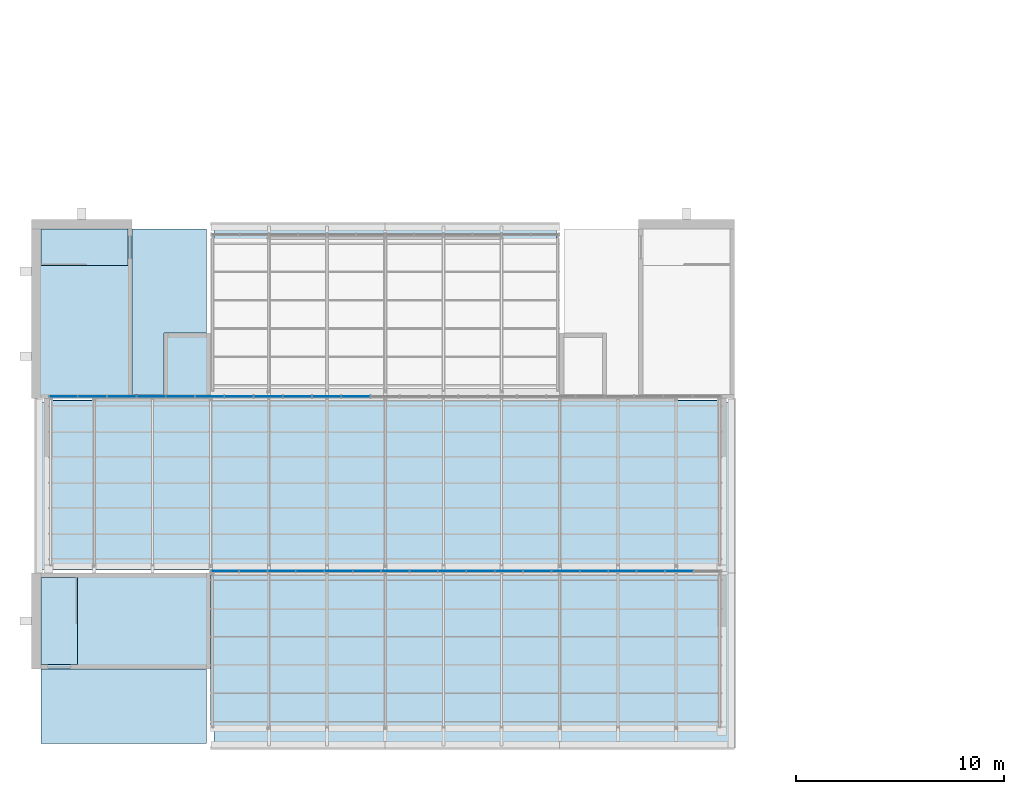
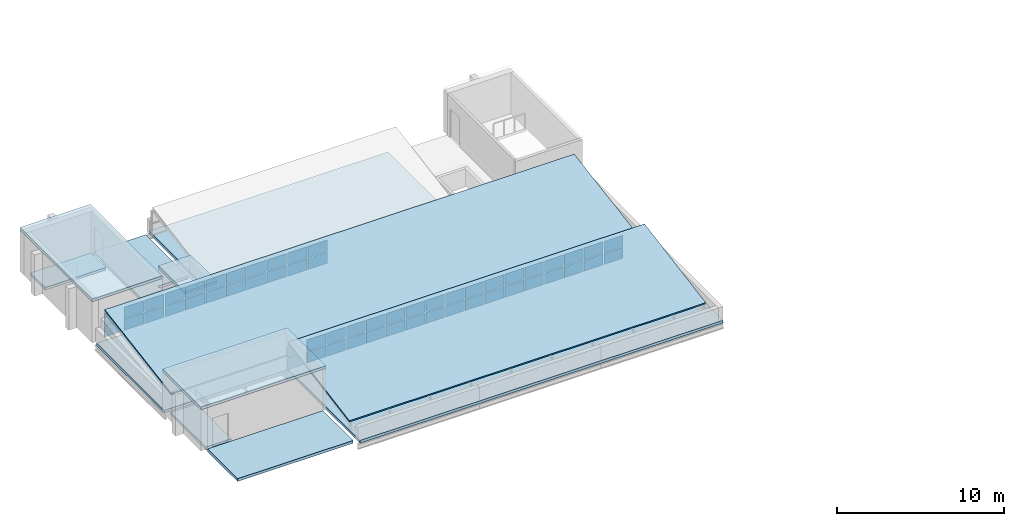
# One storey, part 25 of 42: 56 plates, 10 slabs, 2 elements without a shape of their own.
"""IFC4 building model written with IfcOpenShell, lengths in metres."""

import ifcopenshell
import ifcopenshell.guid

model = None  # the IFC model being written
_history = None  # IfcOwnerHistory: only IFC2X3 demands one
_inside = {}  # id of a spatial element -> (the spatial element, [elements in it])
_under = {}  # id of a project, library or spatial element -> (it, [spatial elements below it])
_declared = {}  # id of a project -> (the project, [libraries it declares])
_typed = {}  # id of a type object -> (the type object, [elements of that type])
_made_of = {}  # id of a material, layer set ... -> (it, [elements and type objects made of it])


def new_model(schema):
    """Start an empty IFC model of exactly this schema.

    Asked for "IFC4X3", IfcOpenShell would pick the latest addendum, in which some entities
    have other attributes; the version numbers below select the first issue.
    IFC2X3 requires an IfcOwnerHistory on every rooted entity: one is made here for all.
    """
    global model, _history
    if schema == "IFC4X3":
        model = ifcopenshell.file(schema_version=(4, 3, 0, 0))
    else:
        model = ifcopenshell.file(schema=schema)
    _inside.clear()
    _under.clear()
    _declared.clear()
    _typed.clear()
    _made_of.clear()
    _history = None
    if model.schema == "IFC2X3":
        org = make("IfcOrganization", Name="unknown")
        user = make(
            "IfcPersonAndOrganization",
            ThePerson=make("IfcPerson", FamilyName="unknown"),
            TheOrganization=org,
        )
        app = make(
            "IfcApplication",
            ApplicationDeveloper=org,
            Version="unknown",
            ApplicationFullName="unknown",
            ApplicationIdentifier="unknown",
        )
        _history = make(
            "IfcOwnerHistory",
            OwningUser=user,
            OwningApplication=app,
            ChangeAction="ADDED",
            CreationDate=0,
        )
    return model


def make(cls, **values):
    """One entity of the class cls with the attributes given. An attribute that is None is left unset."""
    return model.create_entity(
        cls, **{name: value for name, value in values.items() if value is not None}
    )


def rooted(cls, **values):
    """An entity with a GlobalId (a new one), such as an element, a storey or a relation."""
    return make(cls, GlobalId=ifcopenshell.guid.new(), OwnerHistory=_history, **values)


def si_unit(unit_type, name, prefix=None):
    """IfcSIUnit, for example si_unit("LENGTHUNIT", "METRE", prefix="MILLI")."""
    return make("IfcSIUnit", UnitType=unit_type, Prefix=prefix, Name=name)


def assignment(units):
    """IfcUnitAssignment: the units of a project."""
    return None if units is None else make("IfcUnitAssignment", Units=units)


def point(xyz):
    """IfcCartesianPoint."""
    return None if xyz is None else make("IfcCartesianPoint", Coordinates=xyz)


def direction(xyz):
    """IfcDirection."""
    return None if xyz is None else make("IfcDirection", DirectionRatios=xyz)


def frame(location, z_axis=None, x_axis=None):
    """IfcAxis2Placement3D, a coordinate frame: its origin and axes. An axis left out is left unset."""
    return make(
        "IfcAxis2Placement3D",
        Location=point(location),
        Axis=direction(z_axis),
        RefDirection=direction(x_axis),
    )


def frame_2d(location, x_axis=None):
    """IfcAxis2Placement2D, a coordinate frame in the plane: its origin and x axis."""
    return make(
        "IfcAxis2Placement2D", Location=point(location), RefDirection=direction(x_axis)
    )


def origin():
    """The frame at (0, 0, 0) with its axes left unset."""
    return frame((0.0, 0.0, 0.0))


def origin_2d():
    """The frame at (0, 0) in the plane with its x axis left unset."""
    return frame_2d((0.0, 0.0))


def place(relative_to, where):
    """IfcLocalPlacement: puts the frame where relative to a parent placement (None: the world)."""
    return make(
        "IfcLocalPlacement", PlacementRelTo=relative_to, RelativePlacement=where
    )


def context(
    kind, dimensions, precision=None, world=None, true_north=None, identifier=None
):
    """IfcGeometricRepresentationContext, for example the 3D "Model" context."""
    return make(
        "IfcGeometricRepresentationContext",
        ContextIdentifier=identifier,
        ContextType=kind,
        CoordinateSpaceDimension=dimensions,
        Precision=precision,
        WorldCoordinateSystem=world,
        TrueNorth=true_north,
    )


def subcontext(parent, identifier, kind, view, scale=None):
    """IfcGeometricRepresentationSubContext, for example "Body" below "Model"."""
    return make(
        "IfcGeometricRepresentationSubContext",
        ContextIdentifier=identifier,
        ContextType=kind,
        ParentContext=parent,
        TargetScale=scale,
        TargetView=view,
    )


def project(units=None, contexts=None):
    """IfcProject with its units and contexts."""
    return rooted(
        "IfcProject",
        Name="project",
        RepresentationContexts=contexts,
        UnitsInContext=assignment(units),
    )


def spatial(cls, under=None, at=None, **own):
    """A site, building, storey or space (cls), placed at a placement, below another one or the project."""
    s = rooted(cls, ObjectPlacement=at, **own)
    if under is not None:
        _under.setdefault(under.id(), (under, []))[1].append(s)
    return s


def polyline(points):
    """IfcPolyline through the points."""
    return make("IfcPolyline", Points=[point(p) for p in points])


def profile(cls, at=None, kind="AREA", **sizes):
    """A parametric profile (cls). Its sizes go by their IFC names, for example OverallWidth=200.0."""
    return make(cls, ProfileType=kind, Position=at, **sizes)


def rectangle(**sizes):
    """IfcRectangleProfileDef."""
    return profile("IfcRectangleProfileDef", **sizes)


def outline(outer, holes=None, kind="AREA"):
    """IfcArbitraryClosedProfileDef: a profile drawn as a closed curve; with holes, ...WithVoids."""
    if holes is None:
        return make("IfcArbitraryClosedProfileDef", ProfileType=kind, OuterCurve=outer)
    return make(
        "IfcArbitraryProfileDefWithVoids",
        ProfileType=kind,
        OuterCurve=outer,
        InnerCurves=holes,
    )


def extrude(swept, where, along, depth):
    """IfcExtrudedAreaSolid: the profile swept, set in the frame where, extruded along a direction by depth."""
    return make(
        "IfcExtrudedAreaSolid",
        SweptArea=swept,
        Position=where,
        ExtrudedDirection=direction(along),
        Depth=depth,
    )


def shape(context_of_items, identifier, shape_type, items):
    """IfcShapeRepresentation: the items that make up one representation, for example the "Body"."""
    return make(
        "IfcShapeRepresentation",
        ContextOfItems=context_of_items,
        RepresentationIdentifier=identifier,
        RepresentationType=shape_type,
        Items=items,
    )


def material(Name=None, Category=None):
    """IfcMaterial."""
    return make("IfcMaterial", Name=Name, Category=Category)


def layer(
    of_material, thickness, ventilated=None, Name=None, Category=None, Priority=None
):
    """IfcMaterialLayer: one layer of a wall or slab, of a material (None: an air gap)."""
    return make(
        "IfcMaterialLayer",
        Material=of_material,
        LayerThickness=thickness,
        IsVentilated=ventilated,
        Name=Name,
        Category=Category,
        Priority=Priority,
    )


def layer_set(layers, Name=None):
    """IfcMaterialLayerSet."""
    return make("IfcMaterialLayerSet", MaterialLayers=layers, LayerSetName=Name)


def made_of(thing, what):
    """Note that an element or type object is made of a material, layer set ...; save() writes the relation."""
    if what is not None:
        _made_of.setdefault(what.id(), (what, []))[1].append(thing)
    return thing


def type_object(cls, material=None, **own):
    """A type object (cls), such as IfcWallType, which elements share."""
    return made_of(rooted(cls, **own), material)


def element(
    cls,
    number,
    at=None,
    inside=None,
    cuts=None,
    type_object=None,
    material=None,
    context=None,
    identifier="Body",
    shape_type=None,
    held_by="IfcProductDefinitionShape",
    body=None,
    shapes=None,
    **own,
):
    """One element of the class cls, such as IfcWall. Its Tag is "e" and its number.

    at: its placement. inside: the storey or other place that contains it. cuts: it is an
    opening in that element (IfcRelVoidsElement). A single representation is given by context,
    identifier, shape_type and body (its items); several are given by shapes. held_by: the class
    of the entity that holds the representations. save() writes the other relations.
    """
    e = rooted(cls, Tag="e%d" % number, ObjectPlacement=at, **own)
    if body is not None:
        shapes = [shape(context, identifier, shape_type, body)]
    if shapes is not None:
        e.Representation = make(held_by, Representations=shapes)
    if inside is not None:
        _inside.setdefault(inside.id(), (inside, []))[1].append(e)
    if cuts is not None:
        rooted(
            "IfcRelVoidsElement", RelatingBuildingElement=cuts, RelatedOpeningElement=e
        )
    if type_object is not None:
        _typed.setdefault(type_object.id(), (type_object, []))[1].append(e)
    return made_of(e, material)


def aggregate(whole, parts):
    """IfcRelAggregates: a whole, such as a stair, and the parts it consists of."""
    return rooted("IfcRelAggregates", RelatingObject=whole, RelatedObjects=parts)


def save(model, path):
    """Write the relations noted so far, then the file.

    IfcRelAggregates (storeys below a building ...), IfcRelContainedInSpatialStructure (elements
    in a storey), IfcRelDefinesByType, IfcRelAssociatesMaterial and IfcRelDeclares: one each for
    every whole, place, type object, material and project.
    """
    for whole, parts in _under.values():
        aggregate(whole, parts)
    for where, things in _inside.values():
        rooted(
            "IfcRelContainedInSpatialStructure",
            RelatedElements=things,
            RelatingStructure=where,
        )
    for kind, things in _typed.values():
        rooted("IfcRelDefinesByType", RelatedObjects=things, RelatingType=kind)
    for what, things in _made_of.values():
        rooted("IfcRelAssociatesMaterial", RelatedObjects=things, RelatingMaterial=what)
    for by, libraries in _declared.values():
        rooted("IfcRelDeclares", RelatingContext=by, RelatedDefinitions=libraries)
    model.write(path)


model = new_model("IFC4")

# Units and contexts
model_context = context("Model", 3, precision=1e-05, world=origin(), true_north=direction((0.0, 1.0)))
body_context = subcontext(model_context, "Body", "Model", "MODEL_VIEW")
ifc_project = project(units=[si_unit("LENGTHUNIT", "METRE"), si_unit("AREAUNIT", "SQUARE_METRE"), si_unit("VOLUMEUNIT", "CUBIC_METRE"), si_unit("PLANEANGLEUNIT", "RADIAN"), si_unit("MASSUNIT", "GRAM", prefix="KILO")], contexts=[model_context])

# Site, building, storey
site_placement = place(None, origin())
site = spatial("IfcSite", under=ifc_project, at=site_placement, CompositionType="ELEMENT")
building_placement = place(site_placement, origin())
building = spatial("IfcBuilding", under=site, at=building_placement, Name="Ardhachandra Cancer Care Centre", CompositionType="ELEMENT")
storey_placement = place(building_placement, frame((0.0, 0.0, 22.5)))
storey = spatial("IfcBuildingStorey", under=building, at=storey_placement, Name="L05", CompositionType="ELEMENT", Elevation=22.5)

# Slabs
ifc_material_1 = material(Name="Composite slab Concrete M30 on steel deck", Category="concrete")
ifc_layer_1 = layer(ifc_material_1, 0.199951171875)
ifc_layer_set_1 = layer_set([ifc_layer_1], Name="Composite slab Concrete M30 on steel deck")
slab_type_1 = type_object("IfcSlabType", Name="Composite roof slab 200", PredefinedType="ROOF", material=ifc_layer_set_1)
slab_1_placement = place(storey_placement, frame((0.0, 0.0, -0.199951171875)))
element("IfcSlab", 1, at=slab_1_placement, inside=storey, type_object=slab_type_1, Name="Roof slab V6", PredefinedType="ROOF", context=body_context, shape_type="SweptSolid", body=[
    extrude(outline(polyline([(44.39990234375, 88.050048828125), (35.85009765625, 88.050048828125), (35.85009765625, 96.60009765625), (19.35009765625, 96.60009765625), (19.35009765625, 88.050048828125), (10.800048828125, 88.050048828125), (10.800048828125, 79.949951171875), (19.35009765625, 79.949951171875), (19.35009765625, 71.550048828125), (19.35009765625, 71.39990234375), (44.39990234375, 71.39990234375), (44.39990234375, 88.050048828125)])), origin(), (0.0, 0.0, 1.0), 0.199951171875),
])
ifc_material_2 = material(Name="Concrete M40", Category="concrete")
ifc_layer_2 = layer(ifc_material_2, 0.199951171875)
ifc_layer_set_2 = layer_set([ifc_layer_2], Name="Concrete M40")
slab_type_2 = type_object("IfcSlabType", Name="Core head-house floor slab 200", PredefinedType="FLOOR", material=ifc_layer_set_2)
slab_2_placement = place(storey_placement, frame((0.0, 0.0, -0.199951171875)))
element("IfcSlab", 2, at=slab_2_placement, inside=storey, type_object=slab_type_2, Name="Stair head-house floor slab K4 1", PredefinedType="FLOOR", context=body_context, shape_type="SweptSolid", body=[
    extrude(outline(polyline([(15.22509765625, 96.375), (15.22509765625, 94.60009765625), (11.02490234375, 94.60009765625), (11.02490234375, 96.375), (15.22509765625, 96.375)])), origin(), (0.0, 0.0, 1.0), 0.199951171875),
])
slab_3_placement = place(storey_placement, frame((0.0, 0.0, -0.199951171875)))
element("IfcSlab", 3, at=slab_3_placement, inside=storey, type_object=slab_type_2, Name="Stair head-house floor slab K6 1", PredefinedType="FLOOR", context=body_context, shape_type="SweptSolid", body=[
    extrude(outline(polyline([(11.02490234375, 75.39990234375), (12.800048828125, 75.39990234375), (12.800048828125, 79.60009765625), (11.02490234375, 79.60009765625), (11.02490234375, 75.39990234375)])), origin(), (0.0, 0.0, 1.0), 0.199951171875),
])
ifc_material_3 = material(Name="Concrete M40", Category="concrete")
ifc_layer_3 = layer(ifc_material_3, 0.199951171875)
ifc_layer_set_3 = layer_set([ifc_layer_3], Name="Concrete M40")
slab_type_3 = type_object("IfcSlabType", Name="Core roof slab 200", PredefinedType="ROOF", material=ifc_layer_set_3)
slab_4_placement = place(storey_placement, frame((0.0, 0.0, -0.199951171875)))
element("IfcSlab", 4, at=slab_4_placement, inside=storey, type_object=slab_type_3, Name="Core roof slab K4 2", PredefinedType="ROOF", context=body_context, shape_type="SweptSolid", body=[
    extrude(outline(polyline([(19.0, 91.35009765625), (17.14990234375, 91.35009765625), (16.949951171875, 91.35009765625), (16.949951171875, 88.39990234375), (15.425048828125, 88.39990234375), (15.425048828125, 96.375), (19.0, 96.375), (19.0, 91.35009765625)])), origin(), (0.0, 0.0, 1.0), 0.199951171875),
])
slab_5_placement = place(storey_placement, frame((0.0, 0.0, -0.199951171875)))
element("IfcSlab", 5, at=slab_5_placement, inside=storey, type_object=slab_type_3, Name="Core roof slab K6 2", PredefinedType="ROOF", context=body_context, shape_type="SweptSolid", body=[
    extrude(outline(polyline([(19.0, 71.60009765625), (19.0, 75.199951171875), (11.02490234375, 75.199951171875), (11.02490234375, 71.60009765625), (19.0, 71.60009765625)])), origin(), (0.0, 0.0, 1.0), 0.199951171875),
])

# Curtain wall, plates
ifc_material_4 = material(Name="Aluminium extrusion", Category="aluminium")
ifc_layer_4 = layer(ifc_material_4, 0.14990234375)
ifc_layer_set_4 = layer_set([ifc_layer_4], Name="Aluminium extrusion")
curtain_wall_type = type_object("IfcCurtainWallType", Name="Curtain wall run", PredefinedType="NOTDEFINED", material=ifc_layer_set_4)
curtain_wall_1_placement = place(storey_placement, origin())
curtain_wall_1 = element("IfcCurtainWall", 6, at=curtain_wall_1_placement, inside=storey, type_object=curtain_wall_type, Name="Curtain wall L05 n/0019200_0079900", PredefinedType="NOTDEFINED")
ifc_material_5 = material(Name="Low-iron double-glazed unit")
ifc_layer_5 = layer(ifc_material_5, 0.028076171875)
ifc_layer_set_5 = layer_set([ifc_layer_5], Name="Low-iron double-glazed unit")
plate_type_1 = type_object("IfcPlateType", Name="Curtain wall glazing 28", PredefinedType="CURTAIN_PANEL", material=ifc_layer_set_5)
plate_1_placement = place(storey_placement, frame((19.8984375, 79.89990234375, 0.93994140625), z_axis=(0.0, 0.0, 1.0), x_axis=(1.0, 0.0, 0.0)))
plate_1 = element("IfcPlate", 7, at=plate_1_placement, type_object=plate_type_1, Name="CW panel 1.2", PredefinedType="CURTAIN_PANEL", context=body_context, shape_type="SweptSolid", body=[
    extrude(rectangle(XDim=1.276611328125, YDim=0.028076171875, at=origin_2d()), origin(), (0.0, 0.0, 1.0), 0.820068359375),
])
plate_2_placement = place(storey_placement, frame((21.25, 79.89990234375, 0.93994140625), z_axis=(0.0, 0.0, 1.0), x_axis=(1.0, 0.0, 0.0)))
plate_2 = element("IfcPlate", 8, at=plate_2_placement, type_object=plate_type_1, Name="CW panel 2.2", PredefinedType="CURTAIN_PANEL", context=body_context, shape_type="SweptSolid", body=[
    extrude(rectangle(XDim=1.306640625, YDim=0.028076171875, at=origin_2d()), origin(), (0.0, 0.0, 1.0), 0.820068359375),
])
plate_3_placement = place(storey_placement, frame((22.61669921875, 79.89990234375, 0.93994140625), z_axis=(0.0, 0.0, 1.0), x_axis=(1.0, 0.0, 0.0)))
plate_3 = element("IfcPlate", 9, at=plate_3_placement, type_object=plate_type_1, Name="CW panel 3.2", PredefinedType="CURTAIN_PANEL", context=body_context, shape_type="SweptSolid", body=[
    extrude(rectangle(XDim=1.306640625, YDim=0.028076171875, at=origin_2d()), origin(), (0.0, 0.0, 1.0), 0.820068359375),
])
plate_4_placement = place(storey_placement, frame((23.9833984375, 79.89990234375, 0.93994140625), z_axis=(0.0, 0.0, 1.0), x_axis=(1.0, 0.0, 0.0)))
plate_4 = element("IfcPlate", 10, at=plate_4_placement, type_object=plate_type_1, Name="CW panel 4.2", PredefinedType="CURTAIN_PANEL", context=body_context, shape_type="SweptSolid", body=[
    extrude(rectangle(XDim=1.306640625, YDim=0.028076171875, at=origin_2d()), origin(), (0.0, 0.0, 1.0), 0.820068359375),
])
plate_5_placement = place(storey_placement, frame((25.35009765625, 79.89990234375, 0.93994140625), z_axis=(0.0, 0.0, 1.0), x_axis=(1.0, 0.0, 0.0)))
plate_5 = element("IfcPlate", 11, at=plate_5_placement, type_object=plate_type_1, Name="CW panel 5.2", PredefinedType="CURTAIN_PANEL", context=body_context, shape_type="SweptSolid", body=[
    extrude(rectangle(XDim=1.306640625, YDim=0.028076171875, at=origin_2d()), origin(), (0.0, 0.0, 1.0), 0.820068359375),
])
plate_6_placement = place(storey_placement, frame((26.716552734375, 79.89990234375, 0.93994140625), z_axis=(0.0, 0.0, 1.0), x_axis=(1.0, 0.0, 0.0)))
plate_6 = element("IfcPlate", 12, at=plate_6_placement, type_object=plate_type_1, Name="CW panel 6.2", PredefinedType="CURTAIN_PANEL", context=body_context, shape_type="SweptSolid", body=[
    extrude(rectangle(XDim=1.306640625, YDim=0.028076171875, at=origin_2d()), origin(), (0.0, 0.0, 1.0), 0.820068359375),
])
plate_7_placement = place(storey_placement, frame((28.083251953125, 79.89990234375, 0.93994140625), z_axis=(0.0, 0.0, 1.0), x_axis=(1.0, 0.0, 0.0)))
plate_7 = element("IfcPlate", 13, at=plate_7_placement, type_object=plate_type_1, Name="CW panel 7.2", PredefinedType="CURTAIN_PANEL", context=body_context, shape_type="SweptSolid", body=[
    extrude(rectangle(XDim=1.306640625, YDim=0.028076171875, at=origin_2d()), origin(), (0.0, 0.0, 1.0), 0.820068359375),
])
plate_8_placement = place(storey_placement, frame((29.449951171875, 79.89990234375, 0.93994140625), z_axis=(0.0, 0.0, 1.0), x_axis=(1.0, 0.0, 0.0)))
plate_8 = element("IfcPlate", 14, at=plate_8_placement, type_object=plate_type_1, Name="CW panel 8.2", PredefinedType="CURTAIN_PANEL", context=body_context, shape_type="SweptSolid", body=[
    extrude(rectangle(XDim=1.306640625, YDim=0.028076171875, at=origin_2d()), origin(), (0.0, 0.0, 1.0), 0.820068359375),
])
plate_9_placement = place(storey_placement, frame((30.816650390625, 79.89990234375, 0.93994140625), z_axis=(0.0, 0.0, 1.0), x_axis=(1.0, 0.0, 0.0)))
plate_9 = element("IfcPlate", 15, at=plate_9_placement, type_object=plate_type_1, Name="CW panel 9.2", PredefinedType="CURTAIN_PANEL", context=body_context, shape_type="SweptSolid", body=[
    extrude(rectangle(XDim=1.306640625, YDim=0.028076171875, at=origin_2d()), origin(), (0.0, 0.0, 1.0), 0.820068359375),
])
plate_10_placement = place(storey_placement, frame((32.183349609375, 79.89990234375, 0.93994140625), z_axis=(0.0, 0.0, 1.0), x_axis=(1.0, 0.0, 0.0)))
plate_10 = element("IfcPlate", 16, at=plate_10_placement, type_object=plate_type_1, Name="CW panel 10.2", PredefinedType="CURTAIN_PANEL", context=body_context, shape_type="SweptSolid", body=[
    extrude(rectangle(XDim=1.306640625, YDim=0.028076171875, at=origin_2d()), origin(), (0.0, 0.0, 1.0), 0.820068359375),
])
plate_11_placement = place(storey_placement, frame((33.550048828125, 79.89990234375, 0.93994140625), z_axis=(0.0, 0.0, 1.0), x_axis=(1.0, 0.0, 0.0)))
plate_11 = element("IfcPlate", 17, at=plate_11_placement, type_object=plate_type_1, Name="CW panel 11.2", PredefinedType="CURTAIN_PANEL", context=body_context, shape_type="SweptSolid", body=[
    extrude(rectangle(XDim=1.306640625, YDim=0.028076171875, at=origin_2d()), origin(), (0.0, 0.0, 1.0), 0.820068359375),
])
plate_12_placement = place(storey_placement, frame((34.916748046875, 79.89990234375, 0.93994140625), z_axis=(0.0, 0.0, 1.0), x_axis=(1.0, 0.0, 0.0)))
plate_12 = element("IfcPlate", 18, at=plate_12_placement, type_object=plate_type_1, Name="CW panel 12.2", PredefinedType="CURTAIN_PANEL", context=body_context, shape_type="SweptSolid", body=[
    extrude(rectangle(XDim=1.306640625, YDim=0.028076171875, at=origin_2d()), origin(), (0.0, 0.0, 1.0), 0.820068359375),
])
plate_13_placement = place(storey_placement, frame((36.283447265625, 79.89990234375, 0.93994140625), z_axis=(0.0, 0.0, 1.0), x_axis=(1.0, 0.0, 0.0)))
plate_13 = element("IfcPlate", 19, at=plate_13_placement, type_object=plate_type_1, Name="CW panel 13.2", PredefinedType="CURTAIN_PANEL", context=body_context, shape_type="SweptSolid", body=[
    extrude(rectangle(XDim=1.306640625, YDim=0.028076171875, at=origin_2d()), origin(), (0.0, 0.0, 1.0), 0.820068359375),
])
plate_14_placement = place(storey_placement, frame((37.64990234375, 79.89990234375, 0.93994140625), z_axis=(0.0, 0.0, 1.0), x_axis=(1.0, 0.0, 0.0)))
plate_14 = element("IfcPlate", 20, at=plate_14_placement, type_object=plate_type_1, Name="CW panel 14.2", PredefinedType="CURTAIN_PANEL", context=body_context, shape_type="SweptSolid", body=[
    extrude(rectangle(XDim=1.306640625, YDim=0.028076171875, at=origin_2d()), origin(), (0.0, 0.0, 1.0), 0.820068359375),
])
plate_15_placement = place(storey_placement, frame((39.0166015625, 79.89990234375, 0.93994140625), z_axis=(0.0, 0.0, 1.0), x_axis=(1.0, 0.0, 0.0)))
plate_15 = element("IfcPlate", 21, at=plate_15_placement, type_object=plate_type_1, Name="CW panel 15.2", PredefinedType="CURTAIN_PANEL", context=body_context, shape_type="SweptSolid", body=[
    extrude(rectangle(XDim=1.306640625, YDim=0.028076171875, at=origin_2d()), origin(), (0.0, 0.0, 1.0), 0.820068359375),
])
plate_16_placement = place(storey_placement, frame((40.38330078125, 79.89990234375, 0.93994140625), z_axis=(0.0, 0.0, 1.0), x_axis=(1.0, 0.0, 0.0)))
plate_16 = element("IfcPlate", 22, at=plate_16_placement, type_object=plate_type_1, Name="CW panel 16.2", PredefinedType="CURTAIN_PANEL", context=body_context, shape_type="SweptSolid", body=[
    extrude(rectangle(XDim=1.306640625, YDim=0.028076171875, at=origin_2d()), origin(), (0.0, 0.0, 1.0), 0.820068359375),
])
plate_17_placement = place(storey_placement, frame((41.75, 79.89990234375, 0.93994140625), z_axis=(0.0, 0.0, 1.0), x_axis=(1.0, 0.0, 0.0)))
plate_17 = element("IfcPlate", 23, at=plate_17_placement, type_object=plate_type_1, Name="CW panel 17.2", PredefinedType="CURTAIN_PANEL", context=body_context, shape_type="SweptSolid", body=[
    extrude(rectangle(XDim=1.306640625, YDim=0.028076171875, at=origin_2d()), origin(), (0.0, 0.0, 1.0), 0.820068359375),
])

curtain_wall_2_placement = place(storey_placement, origin())
curtain_wall_2 = element("IfcCurtainWall", 24, at=curtain_wall_2_placement, inside=storey, type_object=curtain_wall_type, Name="Curtain wall L05 n/0011400_0088300", PredefinedType="NOTDEFINED")
plate_18_placement = place(storey_placement, frame((12.119384765625, 88.300048828125, 0.93994140625), z_axis=(0.0, 0.0, 1.0), x_axis=(1.0, 0.0, 0.0)))
plate_18 = element("IfcPlate", 25, at=plate_18_placement, type_object=plate_type_1, Name="CW panel 1.2", PredefinedType="CURTAIN_PANEL", context=body_context, shape_type="SweptSolid", body=[
    extrude(rectangle(XDim=1.318603515625, YDim=0.028076171875, at=origin_2d()), origin(), (0.0, 0.0, 1.0), 0.820068359375),
])
plate_19_placement = place(storey_placement, frame((13.512939453125, 88.300048828125, 0.93994140625), z_axis=(0.0, 0.0, 1.0), x_axis=(1.0, 0.0, 0.0)))
plate_19 = element("IfcPlate", 26, at=plate_19_placement, type_object=plate_type_1, Name="CW panel 2.2", PredefinedType="CURTAIN_PANEL", context=body_context, shape_type="SweptSolid", body=[
    extrude(rectangle(XDim=1.3486328125, YDim=0.028076171875, at=origin_2d()), origin(), (0.0, 0.0, 1.0), 0.820068359375),
])
plate_20_placement = place(storey_placement, frame((14.921630859375, 88.300048828125, 0.93994140625), z_axis=(0.0, 0.0, 1.0), x_axis=(1.0, 0.0, 0.0)))
plate_20 = element("IfcPlate", 27, at=plate_20_placement, type_object=plate_type_1, Name="CW panel 3.2", PredefinedType="CURTAIN_PANEL", context=body_context, shape_type="SweptSolid", body=[
    extrude(rectangle(XDim=1.3486328125, YDim=0.028076171875, at=origin_2d()), origin(), (0.0, 0.0, 1.0), 0.820068359375),
])
plate_21_placement = place(storey_placement, frame((16.330322265625, 88.300048828125, 0.93994140625), z_axis=(0.0, 0.0, 1.0), x_axis=(1.0, 0.0, 0.0)))
plate_21 = element("IfcPlate", 28, at=plate_21_placement, type_object=plate_type_1, Name="CW panel 4.2", PredefinedType="CURTAIN_PANEL", context=body_context, shape_type="SweptSolid", body=[
    extrude(rectangle(XDim=1.3486328125, YDim=0.028076171875, at=origin_2d()), origin(), (0.0, 0.0, 1.0), 0.820068359375),
])
plate_22_placement = place(storey_placement, frame((17.739013671875, 88.300048828125, 0.93994140625), z_axis=(0.0, 0.0, 1.0), x_axis=(1.0, 0.0, 0.0)))
plate_22 = element("IfcPlate", 29, at=plate_22_placement, type_object=plate_type_1, Name="CW panel 5.2", PredefinedType="CURTAIN_PANEL", context=body_context, shape_type="SweptSolid", body=[
    extrude(rectangle(XDim=1.3486328125, YDim=0.028076171875, at=origin_2d()), origin(), (0.0, 0.0, 1.0), 0.820068359375),
])
plate_23_placement = place(storey_placement, frame((19.147705078125, 88.300048828125, 0.93994140625), z_axis=(0.0, 0.0, 1.0), x_axis=(1.0, 0.0, 0.0)))
plate_23 = element("IfcPlate", 30, at=plate_23_placement, type_object=plate_type_1, Name="CW panel 6.2", PredefinedType="CURTAIN_PANEL", context=body_context, shape_type="SweptSolid", body=[
    extrude(rectangle(XDim=1.3486328125, YDim=0.028076171875, at=origin_2d()), origin(), (0.0, 0.0, 1.0), 0.820068359375),
])
plate_24_placement = place(storey_placement, frame((20.556640625, 88.300048828125, 0.93994140625), z_axis=(0.0, 0.0, 1.0), x_axis=(1.0, 0.0, 0.0)))
plate_24 = element("IfcPlate", 31, at=plate_24_placement, type_object=plate_type_1, Name="CW panel 7.2", PredefinedType="CURTAIN_PANEL", context=body_context, shape_type="SweptSolid", body=[
    extrude(rectangle(XDim=1.3486328125, YDim=0.028076171875, at=origin_2d()), origin(), (0.0, 0.0, 1.0), 0.820068359375),
])
plate_25_placement = place(storey_placement, frame((21.96533203125, 88.300048828125, 0.93994140625), z_axis=(0.0, 0.0, 1.0), x_axis=(1.0, 0.0, 0.0)))
plate_25 = element("IfcPlate", 32, at=plate_25_placement, type_object=plate_type_1, Name="CW panel 8.2", PredefinedType="CURTAIN_PANEL", context=body_context, shape_type="SweptSolid", body=[
    extrude(rectangle(XDim=1.3486328125, YDim=0.028076171875, at=origin_2d()), origin(), (0.0, 0.0, 1.0), 0.820068359375),
])
plate_26_placement = place(storey_placement, frame((23.3740234375, 88.300048828125, 0.93994140625), z_axis=(0.0, 0.0, 1.0), x_axis=(1.0, 0.0, 0.0)))
plate_26 = element("IfcPlate", 33, at=plate_26_placement, type_object=plate_type_1, Name="CW panel 9.2", PredefinedType="CURTAIN_PANEL", context=body_context, shape_type="SweptSolid", body=[
    extrude(rectangle(XDim=1.3486328125, YDim=0.028076171875, at=origin_2d()), origin(), (0.0, 0.0, 1.0), 0.820068359375),
])
plate_27_placement = place(storey_placement, frame((24.78271484375, 88.300048828125, 0.93994140625), z_axis=(0.0, 0.0, 1.0), x_axis=(1.0, 0.0, 0.0)))
plate_27 = element("IfcPlate", 34, at=plate_27_placement, type_object=plate_type_1, Name="CW panel 10.2", PredefinedType="CURTAIN_PANEL", context=body_context, shape_type="SweptSolid", body=[
    extrude(rectangle(XDim=1.3486328125, YDim=0.028076171875, at=origin_2d()), origin(), (0.0, 0.0, 1.0), 0.820068359375),
])
plate_28_placement = place(storey_placement, frame((26.19140625, 88.300048828125, 0.93994140625), z_axis=(0.0, 0.0, 1.0), x_axis=(1.0, 0.0, 0.0)))
plate_28 = element("IfcPlate", 35, at=plate_28_placement, type_object=plate_type_1, Name="CW panel 11.2", PredefinedType="CURTAIN_PANEL", context=body_context, shape_type="SweptSolid", body=[
    extrude(rectangle(XDim=1.3486328125, YDim=0.028076171875, at=origin_2d()), origin(), (0.0, 0.0, 1.0), 0.820068359375),
])

# Plate
ifc_material_6 = material(Name="Aluminium composite spandrel panel", Category="aluminium")
ifc_layer_6 = layer(ifc_material_6, 0.028076171875)
ifc_layer_set_6 = layer_set([ifc_layer_6], Name="Aluminium composite spandrel panel")
plate_type_2 = type_object("IfcPlateType", Name="Curtain wall spandrel panel 28", PredefinedType="CURTAIN_PANEL", material=ifc_layer_set_6)
plate_29_placement = place(storey_placement, frame((19.8984375, 79.89990234375, 0.06005859375), z_axis=(0.0, 0.0, 1.0), x_axis=(1.0, 0.0, 0.0)))
plate_29 = element("IfcPlate", 36, at=plate_29_placement, type_object=plate_type_2, Name="CW panel 1.1", PredefinedType="CURTAIN_PANEL", context=body_context, shape_type="SweptSolid", body=[
    extrude(rectangle(XDim=1.276611328125, YDim=0.028076171875, at=origin_2d()), origin(), (0.0, 0.0, 1.0), 0.820068359375),
])

plate_30_placement = place(storey_placement, frame((21.25, 79.89990234375, 0.06005859375), z_axis=(0.0, 0.0, 1.0), x_axis=(1.0, 0.0, 0.0)))
plate_30 = element("IfcPlate", 37, at=plate_30_placement, type_object=plate_type_2, Name="CW panel 2.1", PredefinedType="CURTAIN_PANEL", context=body_context, shape_type="SweptSolid", body=[
    extrude(rectangle(XDim=1.306640625, YDim=0.028076171875, at=origin_2d()), origin(), (0.0, 0.0, 1.0), 0.820068359375),
])

plate_31_placement = place(storey_placement, frame((22.61669921875, 79.89990234375, 0.06005859375), z_axis=(0.0, 0.0, 1.0), x_axis=(1.0, 0.0, 0.0)))
plate_31 = element("IfcPlate", 38, at=plate_31_placement, type_object=plate_type_2, Name="CW panel 3.1", PredefinedType="CURTAIN_PANEL", context=body_context, shape_type="SweptSolid", body=[
    extrude(rectangle(XDim=1.306640625, YDim=0.028076171875, at=origin_2d()), origin(), (0.0, 0.0, 1.0), 0.820068359375),
])

plate_32_placement = place(storey_placement, frame((23.9833984375, 79.89990234375, 0.06005859375), z_axis=(0.0, 0.0, 1.0), x_axis=(1.0, 0.0, 0.0)))
plate_32 = element("IfcPlate", 39, at=plate_32_placement, type_object=plate_type_2, Name="CW panel 4.1", PredefinedType="CURTAIN_PANEL", context=body_context, shape_type="SweptSolid", body=[
    extrude(rectangle(XDim=1.306640625, YDim=0.028076171875, at=origin_2d()), origin(), (0.0, 0.0, 1.0), 0.820068359375),
])

plate_33_placement = place(storey_placement, frame((25.35009765625, 79.89990234375, 0.06005859375), z_axis=(0.0, 0.0, 1.0), x_axis=(1.0, 0.0, 0.0)))
plate_33 = element("IfcPlate", 40, at=plate_33_placement, type_object=plate_type_2, Name="CW panel 5.1", PredefinedType="CURTAIN_PANEL", context=body_context, shape_type="SweptSolid", body=[
    extrude(rectangle(XDim=1.306640625, YDim=0.028076171875, at=origin_2d()), origin(), (0.0, 0.0, 1.0), 0.820068359375),
])

plate_34_placement = place(storey_placement, frame((26.716552734375, 79.89990234375, 0.06005859375), z_axis=(0.0, 0.0, 1.0), x_axis=(1.0, 0.0, 0.0)))
plate_34 = element("IfcPlate", 41, at=plate_34_placement, type_object=plate_type_2, Name="CW panel 6.1", PredefinedType="CURTAIN_PANEL", context=body_context, shape_type="SweptSolid", body=[
    extrude(rectangle(XDim=1.306640625, YDim=0.028076171875, at=origin_2d()), origin(), (0.0, 0.0, 1.0), 0.820068359375),
])

plate_35_placement = place(storey_placement, frame((28.083251953125, 79.89990234375, 0.06005859375), z_axis=(0.0, 0.0, 1.0), x_axis=(1.0, 0.0, 0.0)))
plate_35 = element("IfcPlate", 42, at=plate_35_placement, type_object=plate_type_2, Name="CW panel 7.1", PredefinedType="CURTAIN_PANEL", context=body_context, shape_type="SweptSolid", body=[
    extrude(rectangle(XDim=1.306640625, YDim=0.028076171875, at=origin_2d()), origin(), (0.0, 0.0, 1.0), 0.820068359375),
])

plate_36_placement = place(storey_placement, frame((29.449951171875, 79.89990234375, 0.06005859375), z_axis=(0.0, 0.0, 1.0), x_axis=(1.0, 0.0, 0.0)))
plate_36 = element("IfcPlate", 43, at=plate_36_placement, type_object=plate_type_2, Name="CW panel 8.1", PredefinedType="CURTAIN_PANEL", context=body_context, shape_type="SweptSolid", body=[
    extrude(rectangle(XDim=1.306640625, YDim=0.028076171875, at=origin_2d()), origin(), (0.0, 0.0, 1.0), 0.820068359375),
])

plate_37_placement = place(storey_placement, frame((30.816650390625, 79.89990234375, 0.06005859375), z_axis=(0.0, 0.0, 1.0), x_axis=(1.0, 0.0, 0.0)))
plate_37 = element("IfcPlate", 44, at=plate_37_placement, type_object=plate_type_2, Name="CW panel 9.1", PredefinedType="CURTAIN_PANEL", context=body_context, shape_type="SweptSolid", body=[
    extrude(rectangle(XDim=1.306640625, YDim=0.028076171875, at=origin_2d()), origin(), (0.0, 0.0, 1.0), 0.820068359375),
])

plate_38_placement = place(storey_placement, frame((32.183349609375, 79.89990234375, 0.06005859375), z_axis=(0.0, 0.0, 1.0), x_axis=(1.0, 0.0, 0.0)))
plate_38 = element("IfcPlate", 45, at=plate_38_placement, type_object=plate_type_2, Name="CW panel 10.1", PredefinedType="CURTAIN_PANEL", context=body_context, shape_type="SweptSolid", body=[
    extrude(rectangle(XDim=1.306640625, YDim=0.028076171875, at=origin_2d()), origin(), (0.0, 0.0, 1.0), 0.820068359375),
])

plate_39_placement = place(storey_placement, frame((33.550048828125, 79.89990234375, 0.06005859375), z_axis=(0.0, 0.0, 1.0), x_axis=(1.0, 0.0, 0.0)))
plate_39 = element("IfcPlate", 46, at=plate_39_placement, type_object=plate_type_2, Name="CW panel 11.1", PredefinedType="CURTAIN_PANEL", context=body_context, shape_type="SweptSolid", body=[
    extrude(rectangle(XDim=1.306640625, YDim=0.028076171875, at=origin_2d()), origin(), (0.0, 0.0, 1.0), 0.820068359375),
])

plate_40_placement = place(storey_placement, frame((34.916748046875, 79.89990234375, 0.06005859375), z_axis=(0.0, 0.0, 1.0), x_axis=(1.0, 0.0, 0.0)))
plate_40 = element("IfcPlate", 47, at=plate_40_placement, type_object=plate_type_2, Name="CW panel 12.1", PredefinedType="CURTAIN_PANEL", context=body_context, shape_type="SweptSolid", body=[
    extrude(rectangle(XDim=1.306640625, YDim=0.028076171875, at=origin_2d()), origin(), (0.0, 0.0, 1.0), 0.820068359375),
])

plate_41_placement = place(storey_placement, frame((36.283447265625, 79.89990234375, 0.06005859375), z_axis=(0.0, 0.0, 1.0), x_axis=(1.0, 0.0, 0.0)))
plate_41 = element("IfcPlate", 48, at=plate_41_placement, type_object=plate_type_2, Name="CW panel 13.1", PredefinedType="CURTAIN_PANEL", context=body_context, shape_type="SweptSolid", body=[
    extrude(rectangle(XDim=1.306640625, YDim=0.028076171875, at=origin_2d()), origin(), (0.0, 0.0, 1.0), 0.820068359375),
])

plate_42_placement = place(storey_placement, frame((37.64990234375, 79.89990234375, 0.06005859375), z_axis=(0.0, 0.0, 1.0), x_axis=(1.0, 0.0, 0.0)))
plate_42 = element("IfcPlate", 49, at=plate_42_placement, type_object=plate_type_2, Name="CW panel 14.1", PredefinedType="CURTAIN_PANEL", context=body_context, shape_type="SweptSolid", body=[
    extrude(rectangle(XDim=1.306640625, YDim=0.028076171875, at=origin_2d()), origin(), (0.0, 0.0, 1.0), 0.820068359375),
])

plate_43_placement = place(storey_placement, frame((39.0166015625, 79.89990234375, 0.06005859375), z_axis=(0.0, 0.0, 1.0), x_axis=(1.0, 0.0, 0.0)))
plate_43 = element("IfcPlate", 50, at=plate_43_placement, type_object=plate_type_2, Name="CW panel 15.1", PredefinedType="CURTAIN_PANEL", context=body_context, shape_type="SweptSolid", body=[
    extrude(rectangle(XDim=1.306640625, YDim=0.028076171875, at=origin_2d()), origin(), (0.0, 0.0, 1.0), 0.820068359375),
])

plate_44_placement = place(storey_placement, frame((40.38330078125, 79.89990234375, 0.06005859375), z_axis=(0.0, 0.0, 1.0), x_axis=(1.0, 0.0, 0.0)))
plate_44 = element("IfcPlate", 51, at=plate_44_placement, type_object=plate_type_2, Name="CW panel 16.1", PredefinedType="CURTAIN_PANEL", context=body_context, shape_type="SweptSolid", body=[
    extrude(rectangle(XDim=1.306640625, YDim=0.028076171875, at=origin_2d()), origin(), (0.0, 0.0, 1.0), 0.820068359375),
])

plate_45_placement = place(storey_placement, frame((41.75, 79.89990234375, 0.06005859375), z_axis=(0.0, 0.0, 1.0), x_axis=(1.0, 0.0, 0.0)))
plate_45 = element("IfcPlate", 52, at=plate_45_placement, type_object=plate_type_2, Name="CW panel 17.1", PredefinedType="CURTAIN_PANEL", context=body_context, shape_type="SweptSolid", body=[
    extrude(rectangle(XDim=1.306640625, YDim=0.028076171875, at=origin_2d()), origin(), (0.0, 0.0, 1.0), 0.820068359375),
])

aggregate(curtain_wall_1, [plate_29, plate_1, plate_30, plate_2, plate_31, plate_3, plate_32, plate_4, plate_33, plate_5, plate_34, plate_6, plate_35, plate_7, plate_36, plate_8, plate_37, plate_9, plate_38, plate_10, plate_39, plate_11, plate_40, plate_12, plate_41, plate_13, plate_42, plate_14, plate_43, plate_15, plate_44, plate_16, plate_45, plate_17])

plate_46_placement = place(storey_placement, frame((12.119384765625, 88.300048828125, 0.06005859375), z_axis=(0.0, 0.0, 1.0), x_axis=(1.0, 0.0, 0.0)))
plate_46 = element("IfcPlate", 53, at=plate_46_placement, type_object=plate_type_2, Name="CW panel 1.1", PredefinedType="CURTAIN_PANEL", context=body_context, shape_type="SweptSolid", body=[
    extrude(rectangle(XDim=1.318603515625, YDim=0.028076171875, at=origin_2d()), origin(), (0.0, 0.0, 1.0), 0.820068359375),
])

plate_47_placement = place(storey_placement, frame((13.512939453125, 88.300048828125, 0.06005859375), z_axis=(0.0, 0.0, 1.0), x_axis=(1.0, 0.0, 0.0)))
plate_47 = element("IfcPlate", 54, at=plate_47_placement, type_object=plate_type_2, Name="CW panel 2.1", PredefinedType="CURTAIN_PANEL", context=body_context, shape_type="SweptSolid", body=[
    extrude(rectangle(XDim=1.3486328125, YDim=0.028076171875, at=origin_2d()), origin(), (0.0, 0.0, 1.0), 0.820068359375),
])

plate_48_placement = place(storey_placement, frame((14.921630859375, 88.300048828125, 0.06005859375), z_axis=(0.0, 0.0, 1.0), x_axis=(1.0, 0.0, 0.0)))
plate_48 = element("IfcPlate", 55, at=plate_48_placement, type_object=plate_type_2, Name="CW panel 3.1", PredefinedType="CURTAIN_PANEL", context=body_context, shape_type="SweptSolid", body=[
    extrude(rectangle(XDim=1.3486328125, YDim=0.028076171875, at=origin_2d()), origin(), (0.0, 0.0, 1.0), 0.820068359375),
])

plate_49_placement = place(storey_placement, frame((16.330322265625, 88.300048828125, 0.06005859375), z_axis=(0.0, 0.0, 1.0), x_axis=(1.0, 0.0, 0.0)))
plate_49 = element("IfcPlate", 56, at=plate_49_placement, type_object=plate_type_2, Name="CW panel 4.1", PredefinedType="CURTAIN_PANEL", context=body_context, shape_type="SweptSolid", body=[
    extrude(rectangle(XDim=1.3486328125, YDim=0.028076171875, at=origin_2d()), origin(), (0.0, 0.0, 1.0), 0.820068359375),
])

plate_50_placement = place(storey_placement, frame((17.739013671875, 88.300048828125, 0.06005859375), z_axis=(0.0, 0.0, 1.0), x_axis=(1.0, 0.0, 0.0)))
plate_50 = element("IfcPlate", 57, at=plate_50_placement, type_object=plate_type_2, Name="CW panel 5.1", PredefinedType="CURTAIN_PANEL", context=body_context, shape_type="SweptSolid", body=[
    extrude(rectangle(XDim=1.3486328125, YDim=0.028076171875, at=origin_2d()), origin(), (0.0, 0.0, 1.0), 0.820068359375),
])

plate_51_placement = place(storey_placement, frame((19.147705078125, 88.300048828125, 0.06005859375), z_axis=(0.0, 0.0, 1.0), x_axis=(1.0, 0.0, 0.0)))
plate_51 = element("IfcPlate", 58, at=plate_51_placement, type_object=plate_type_2, Name="CW panel 6.1", PredefinedType="CURTAIN_PANEL", context=body_context, shape_type="SweptSolid", body=[
    extrude(rectangle(XDim=1.3486328125, YDim=0.028076171875, at=origin_2d()), origin(), (0.0, 0.0, 1.0), 0.820068359375),
])

plate_52_placement = place(storey_placement, frame((20.556640625, 88.300048828125, 0.06005859375), z_axis=(0.0, 0.0, 1.0), x_axis=(1.0, 0.0, 0.0)))
plate_52 = element("IfcPlate", 59, at=plate_52_placement, type_object=plate_type_2, Name="CW panel 7.1", PredefinedType="CURTAIN_PANEL", context=body_context, shape_type="SweptSolid", body=[
    extrude(rectangle(XDim=1.3486328125, YDim=0.028076171875, at=origin_2d()), origin(), (0.0, 0.0, 1.0), 0.820068359375),
])

plate_53_placement = place(storey_placement, frame((21.96533203125, 88.300048828125, 0.06005859375), z_axis=(0.0, 0.0, 1.0), x_axis=(1.0, 0.0, 0.0)))
plate_53 = element("IfcPlate", 60, at=plate_53_placement, type_object=plate_type_2, Name="CW panel 8.1", PredefinedType="CURTAIN_PANEL", context=body_context, shape_type="SweptSolid", body=[
    extrude(rectangle(XDim=1.3486328125, YDim=0.028076171875, at=origin_2d()), origin(), (0.0, 0.0, 1.0), 0.820068359375),
])

plate_54_placement = place(storey_placement, frame((23.3740234375, 88.300048828125, 0.06005859375), z_axis=(0.0, 0.0, 1.0), x_axis=(1.0, 0.0, 0.0)))
plate_54 = element("IfcPlate", 61, at=plate_54_placement, type_object=plate_type_2, Name="CW panel 9.1", PredefinedType="CURTAIN_PANEL", context=body_context, shape_type="SweptSolid", body=[
    extrude(rectangle(XDim=1.3486328125, YDim=0.028076171875, at=origin_2d()), origin(), (0.0, 0.0, 1.0), 0.820068359375),
])

plate_55_placement = place(storey_placement, frame((24.78271484375, 88.300048828125, 0.06005859375), z_axis=(0.0, 0.0, 1.0), x_axis=(1.0, 0.0, 0.0)))
plate_55 = element("IfcPlate", 62, at=plate_55_placement, type_object=plate_type_2, Name="CW panel 10.1", PredefinedType="CURTAIN_PANEL", context=body_context, shape_type="SweptSolid", body=[
    extrude(rectangle(XDim=1.3486328125, YDim=0.028076171875, at=origin_2d()), origin(), (0.0, 0.0, 1.0), 0.820068359375),
])

plate_56_placement = place(storey_placement, frame((26.19140625, 88.300048828125, 0.06005859375), z_axis=(0.0, 0.0, 1.0), x_axis=(1.0, 0.0, 0.0)))
plate_56 = element("IfcPlate", 63, at=plate_56_placement, type_object=plate_type_2, Name="CW panel 11.1", PredefinedType="CURTAIN_PANEL", context=body_context, shape_type="SweptSolid", body=[
    extrude(rectangle(XDim=1.3486328125, YDim=0.028076171875, at=origin_2d()), origin(), (0.0, 0.0, 1.0), 0.820068359375),
])

aggregate(curtain_wall_2, [plate_46, plate_18, plate_47, plate_19, plate_48, plate_20, plate_49, plate_21, plate_50, plate_22, plate_51, plate_23, plate_52, plate_24, plate_53, plate_25, plate_54, plate_26, plate_55, plate_27, plate_56, plate_28])

# Slabs
ifc_material_7 = material(Name="Concrete M40", Category="concrete")
ifc_layer_7 = layer(ifc_material_7, 0.199951171875)
ifc_layer_set_7 = layer_set([ifc_layer_7], Name="Concrete M40")
slab_type_4 = type_object("IfcSlabType", Name="Head-house and overrun roof slab 200", PredefinedType="ROOF", material=ifc_layer_set_7)
slab_6_placement = place(storey_placement, frame((0.0, 0.0, 3.0)))
element("IfcSlab", 64, at=slab_6_placement, inside=storey, type_object=slab_type_4, Name="Stair head-house roof K4", PredefinedType="ROOF", context=body_context, shape_type="SweptSolid", body=[
    extrude(outline(polyline([(15.425048828125, 88.199951171875), (10.574951171875, 88.199951171875), (10.574951171875, 96.824951171875), (15.425048828125, 96.824951171875), (15.425048828125, 88.199951171875)])), origin(), (0.0, 0.0, 1.0), 0.199951171875),
])
slab_7_placement = place(storey_placement, frame((0.0, 0.0, 1.300048828125)))
element("IfcSlab", 65, at=slab_7_placement, inside=storey, type_object=slab_type_4, Name="Lift overrun roof K4A", PredefinedType="ROOF", context=body_context, shape_type="SweptSolid", body=[
    extrude(outline(polyline([(16.949951171875, 88.199951171875), (16.949951171875, 91.35009765625), (19.199951171875, 91.35009765625), (19.199951171875, 88.199951171875), (16.949951171875, 88.199951171875)])), origin(), (0.0, 0.0, 1.0), 0.199951171875),
])
slab_8_placement = place(storey_placement, frame((0.0, 0.0, 3.0)))
element("IfcSlab", 66, at=slab_8_placement, inside=storey, type_object=slab_type_4, Name="Stair head-house roof K6", PredefinedType="ROOF", context=body_context, shape_type="SweptSolid", body=[
    extrude(outline(polyline([(19.199951171875, 75.199951171875), (10.574951171875, 75.199951171875), (10.574951171875, 79.800048828125), (19.199951171875, 79.800048828125), (19.199951171875, 75.199951171875)])), origin(), (0.0, 0.0, 1.0), 0.199951171875),
])
ifc_material_8 = material(Name="Insulated metal roof sheet (galvalume skins, PIR core)")
ifc_layer_8 = layer(ifc_material_8, 0.10009765625)
ifc_layer_set_8 = layer_set([ifc_layer_8], Name="Insulated metal roof sheet (galvalume skins, PIR core)")
slab_type_5 = type_object("IfcSlabType", Name="Insulated roof sheet 100", PredefinedType="ROOF", material=ifc_layer_set_8)
slab_9_placement = place(storey_placement, frame((19.199951171875, 72.39990234375, 0.885986328125), z_axis=(0.0, -0.175604395478, 0.984460815009), x_axis=(1.0, 0.0, 0.0)))
element("IfcSlab", 67, at=slab_9_placement, inside=storey, type_object=slab_type_5, Name="Roof sheet NT1a", PredefinedType="ROOF", context=body_context, shape_type="SweptSolid", body=[
    extrude(outline(polyline([(0.0, 0.0), (24.60009765625, 0.0), (24.60009765625, 7.44081958450629), (0.0, 7.44081958450629), (0.0, 0.0)])), origin(), (0.0, 0.0, -1.0), 0.10009765625),
])
slab_10_placement = place(storey_placement, frame((11.39990234375, 80.199951171875, 0.88525390625), z_axis=(0.0, -0.162796859665, 0.986659608215), x_axis=(1.0, 0.0, 0.0)))
element("IfcSlab", 68, at=slab_10_placement, inside=storey, type_object=slab_type_5, Name="Roof sheet NT2a", PredefinedType="ROOF", context=body_context, shape_type="SweptSolid", body=[
    extrude(outline(polyline([(0.0, 0.0), (32.400146484375, 0.0), (32.400146484375, 8.032201543612489), (0.0, 8.032201543612489), (0.0, 0.0)])), origin(), (0.0, 0.0, -1.0), 0.10009765625),
])

save(model, "model.ifc")
